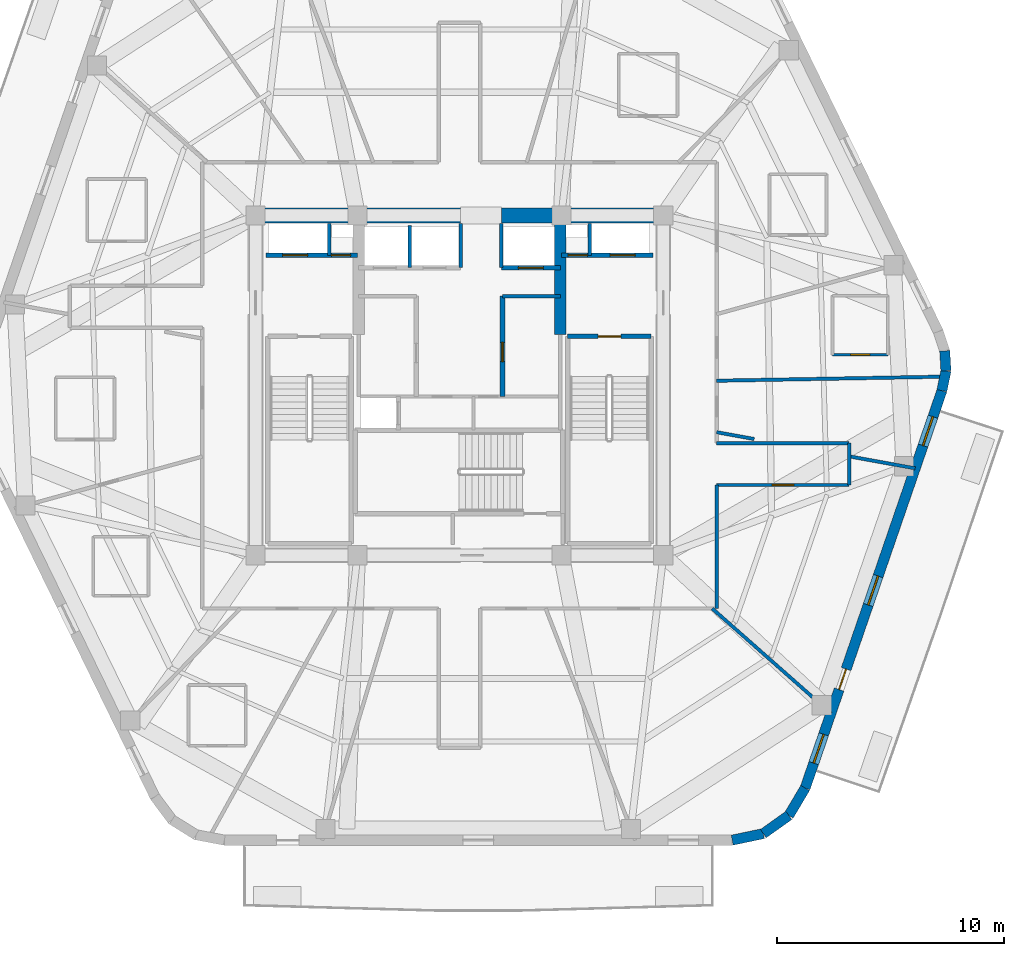
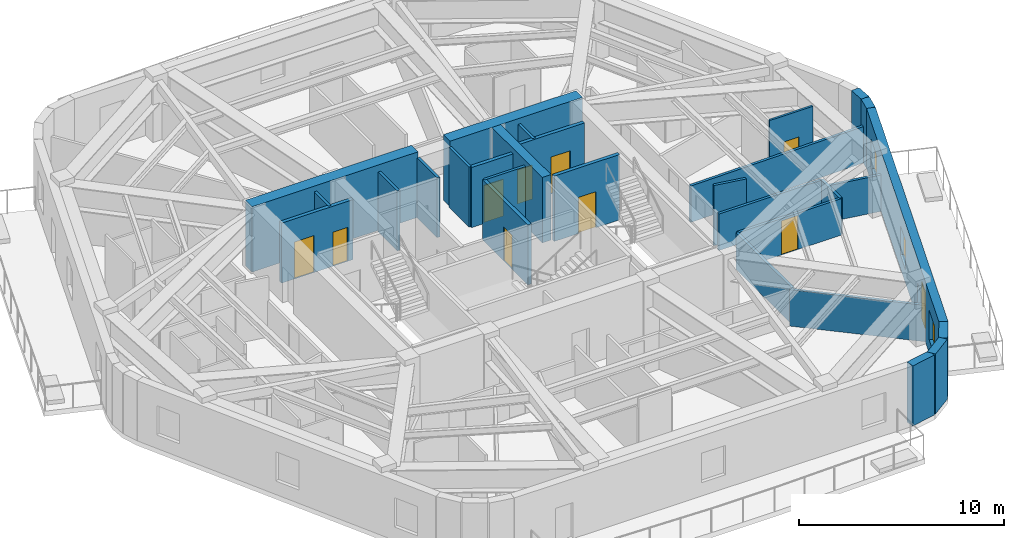
# One storey, part 5 of 9: 29 walls, 10 doors, 3 windows, 13 openings.
"""IFC4 building model written with IfcOpenShell, lengths in metres."""

from ifc_helpers import new_model, si_unit, direction, frame, frame_2d, origin, place, context, subcontext, project, spatial, rectangle, extrude, material, layer, layer_set, type_object, element, fill, save


model = new_model("IFC4")

# Units and contexts
model_context = context("Model", 3, precision=1e-05, world=origin(), true_north=direction((0.0, 1.0)))
body_context = subcontext(model_context, "Body", "Model", "MODEL_VIEW")
ifc_project = project(units=[si_unit("LENGTHUNIT", "METRE"), si_unit("AREAUNIT", "SQUARE_METRE"), si_unit("VOLUMEUNIT", "CUBIC_METRE"), si_unit("PLANEANGLEUNIT", "RADIAN"), si_unit("MASSUNIT", "GRAM", prefix="KILO")], contexts=[model_context])

# Site, building, storey
site_placement = place(None, origin())
site = spatial("IfcSite", under=ifc_project, at=site_placement, CompositionType="ELEMENT")
building_placement = place(site_placement, origin())
building = spatial("IfcBuilding", under=site, at=building_placement, Name="Kilnhurst Terrace Hotel", CompositionType="ELEMENT")
storey_placement = place(building_placement, frame((0.0, 0.0, 301.5)))
storey = spatial("IfcBuildingStorey", under=building, at=storey_placement, Name="L75", CompositionType="ELEMENT", Elevation=301.5)

# Walls
ifc_material_1 = material(Name="Precast concrete C40/50", Category="concrete")
ifc_layer_1 = layer(ifc_material_1, 0.449951171875, Name="Precast concrete C40/50")
ifc_layer_set_1 = layer_set([ifc_layer_1], Name="Precast concrete C40/50")
wall_type_1 = type_object("IfcWallType", Name="WL-BRK-450", PredefinedType="SOLIDWALL", material=ifc_layer_set_1)
wall_1_placement = place(storey_placement, frame((12.038330078125, -20.074951171875, 0.0), z_axis=(0.0, 0.0, 1.0), x_axis=(0.978750122553, 0.205056571711, 0.0)))
element("IfcWall", 1, at=wall_1_placement, inside=storey, type_object=wall_type_1, Name="L75 Rounded Corner Brick Wall C2.1", PredefinedType="SOLIDWALL", context=body_context, shape_type="SweptSolid", body=[
    extrude(rectangle(XDim=1.406005859375, YDim=0.449951171875, at=frame_2d((0.703125, 0.0))), origin(), (0.0, 0.0, 1.0), 3.580078125),
])
wall_2_placement = place(storey_placement, frame((13.41455078125, -19.78662109375, 0.0), z_axis=(0.0, 0.0, 1.0), x_axis=(0.814055493997, 0.580787097561, 0.0)))
element("IfcWall", 2, at=wall_2_placement, inside=storey, type_object=wall_type_1, Name="L75 Rounded Corner Brick Wall C2.2", PredefinedType="SOLIDWALL", context=body_context, shape_type="SweptSolid", body=[
    extrude(rectangle(XDim=1.382568359375, YDim=0.449951171875, at=frame_2d((0.69140625, 0.0))), origin(), (0.0, 0.0, 1.0), 3.580078125),
])
wall_3_placement = place(storey_placement, frame((14.5400390625, -18.983642578125, 0.0), z_axis=(0.0, 0.0, 1.0), x_axis=(0.512374906623, 0.858761873317, 0.0)))
element("IfcWall", 3, at=wall_3_placement, inside=storey, type_object=wall_type_1, Name="L75 Rounded Corner Brick Wall C2.3", PredefinedType="SOLIDWALL", context=body_context, shape_type="SweptSolid", body=[
    extrude(rectangle(XDim=1.406005859375, YDim=0.449951171875, at=frame_2d((0.703125, 0.0))), origin(), (0.0, 0.0, 1.0), 3.580078125),
])
wall_4_placement = place(storey_placement, frame((21.297607421875, -0.2333984375, 0.0), z_axis=(0.0, 0.0, 1.0), x_axis=(0.199158176661, 0.979967356941, 0.0)))
element("IfcWall", 4, at=wall_4_placement, inside=storey, type_object=wall_type_1, Name="L75 Rounded Corner Brick Wall C3.1", PredefinedType="SOLIDWALL", context=body_context, shape_type="SweptSolid", body=[
    extrude(rectangle(XDim=0.894775390625, YDim=0.449951171875, at=frame_2d((0.447265625, 0.0))), origin(), (0.0, 0.0, 1.0), 3.580078125),
])
wall_5_placement = place(storey_placement, frame((21.475830078125, 0.6435546875, 0.0), z_axis=(0.0, 0.0, 1.0), x_axis=(-0.061031097918, 0.998135865044, 0.0)))
element("IfcWall", 5, at=wall_5_placement, inside=storey, type_object=wall_type_1, Name="L75 Rounded Corner Brick Wall C3.2", PredefinedType="SOLIDWALL", context=body_context, shape_type="SweptSolid", body=[
    extrude(rectangle(XDim=0.880126953125, YDim=0.449951171875, at=frame_2d((0.43994140625, 0.0))), origin(), (0.0, 0.0, 1.0), 3.580078125),
])

# Wall, openings, door, windows
wall_6_placement = place(storey_placement, frame((15.260498046875, -17.776123046875, 0.0), z_axis=(0.0, 0.0, 1.0), x_axis=(0.325407437101, 0.945573899745, 0.0)))
wall_6 = element("IfcWall", 6, at=wall_6_placement, inside=storey, type_object=wall_type_1, Name="L75 Exterior Brick Facade Wall F2", PredefinedType="SOLIDWALL", context=body_context, shape_type="SweptSolid", body=[
    extrude(rectangle(XDim=18.552490234375, YDim=0.449951171875, at=frame_2d((9.2763671875, 0.0))), origin(), (0.0, 0.0, 1.0), 3.580078125),
])
opening_1_placement = place(wall_6_placement, frame((4.60205078125, 0.0, 0.0)))
opening_1 = element("IfcOpeningElement", 7, at=opening_1_placement, cuts=wall_6, Name="Opening BD-950", PredefinedType="OPENING", context=body_context, shape_type="SweptSolid", body=[
    extrude(rectangle(XDim=0.949951171875, YDim=2.14990234375, at=frame_2d((0.47509765625, 1.074951171875))), frame((0.0, 0.23486328125, 0.0), z_axis=(0.0, -1.0, 0.0), x_axis=(1.0, 0.0, 0.0)), (0.0, 0.0, 1.0), 0.469970703125),
])
opening_2_placement = place(wall_6_placement, frame((1.160888671875, 0.0, 0.800048828125)))
opening_2 = element("IfcOpeningElement", 8, at=opening_2_placement, cuts=wall_6, Name="Opening W-06", PredefinedType="OPENING", context=body_context, shape_type="SweptSolid", body=[
    extrude(rectangle(XDim=1.35009765625, YDim=1.75, at=frame_2d((0.675048828125, 0.875))), frame((0.0, 0.23486328125, 0.0), z_axis=(0.0, -1.0, 0.0), x_axis=(1.0, 0.0, 0.0)), (0.0, 0.0, 1.0), 0.469970703125),
])
opening_3_placement = place(wall_6_placement, frame((8.548095703125, 0.0, 0.800048828125)))
opening_3 = element("IfcOpeningElement", 9, at=opening_3_placement, cuts=wall_6, Name="Opening W-06", PredefinedType="OPENING", context=body_context, shape_type="SweptSolid", body=[
    extrude(rectangle(XDim=1.35009765625, YDim=1.75, at=frame_2d((0.675048828125, 0.875))), frame((0.0, 0.23486328125, 0.0), z_axis=(0.0, -1.0, 0.0), x_axis=(1.0, 0.0, 0.0)), (0.0, 0.0, 1.0), 0.469970703125),
])
opening_4_placement = place(wall_6_placement, frame((15.987060546875, 0.0, 0.800048828125)))
opening_4 = element("IfcOpeningElement", 10, at=opening_4_placement, cuts=wall_6, Name="Opening W-06", PredefinedType="OPENING", context=body_context, shape_type="SweptSolid", body=[
    extrude(rectangle(XDim=1.35009765625, YDim=1.75, at=frame_2d((0.675048828125, 0.875))), frame((0.0, 0.23486328125, 0.0), z_axis=(0.0, -1.0, 0.0), x_axis=(1.0, 0.0, 0.0)), (0.0, 0.0, 1.0), 0.469970703125),
])
ifc_material_2 = material(Name="Thermally Broken Bronze Aluminium Alloy 6063-T6 and Laminated Glass", Category="aluminium")
door_type_1 = type_object("IfcDoorType", Name="DR-EXT-BAL-950", OperationType="NOTDEFINED", PredefinedType="DOOR", material=ifc_material_2)
door_1_placement = place(opening_1_placement, origin())
door_1 = element("IfcDoor", 11, at=door_1_placement, inside=storey, type_object=door_type_1, Name="L75 Planted Balcony Door BAL-L1B", OperationType="SINGLE_SWING_RIGHT", OverallHeight=2.14990234375, OverallWidth=0.949951171875, PredefinedType="DOOR", context=body_context, shape_type="SweptSolid", body=[
    extrude(rectangle(XDim=0.949951171875, YDim=2.14990234375, at=frame_2d((0.47509765625, 1.074951171875))), frame((0.0, 0.02490234375, 0.0), z_axis=(0.0, -1.0, 0.0), x_axis=(1.0, 0.0, 0.0)), (0.0, 0.0, 1.0), 0.050048828125),
])
fill(opening_1, door_1)
ifc_material_3 = material(Name="Thermally Broken Bronze Aluminium Alloy 6063-T6 and Low-E Glass", Category="aluminium")
window_type = type_object("IfcWindowType", Name="WIN-1350X1750", PartitioningType="SINGLE_PANEL", PredefinedType="WINDOW", material=ifc_material_3)
window_1_placement = place(opening_2_placement, origin())
window_1 = element("IfcWindow", 12, at=window_1_placement, inside=storey, type_object=window_type, Name="L75 Deep-Set Masonry Window F2.1", OverallHeight=1.75, OverallWidth=1.35009765625, PartitioningType="SINGLE_PANEL", PredefinedType="WINDOW", context=body_context, shape_type="SweptSolid", body=[
    extrude(rectangle(XDim=1.35009765625, YDim=1.75, at=frame_2d((0.675048828125, 0.875))), frame((0.0, 0.030029296875, 0.0), z_axis=(0.0, -1.0, 0.0), x_axis=(1.0, 0.0, 0.0)), (0.0, 0.0, 1.0), 0.06005859375),
])
fill(opening_2, window_1)
window_2_placement = place(opening_3_placement, origin())
window_2 = element("IfcWindow", 13, at=window_2_placement, inside=storey, type_object=window_type, Name="L75 Deep-Set Masonry Window F2.2", OverallHeight=1.75, OverallWidth=1.35009765625, PartitioningType="SINGLE_PANEL", PredefinedType="WINDOW", context=body_context, shape_type="SweptSolid", body=[
    extrude(rectangle(XDim=1.35009765625, YDim=1.75, at=frame_2d((0.675048828125, 0.875))), frame((0.0, 0.030029296875, 0.0), z_axis=(0.0, -1.0, 0.0), x_axis=(1.0, 0.0, 0.0)), (0.0, 0.0, 1.0), 0.06005859375),
])
fill(opening_3, window_2)
window_3_placement = place(opening_4_placement, origin())
window_3 = element("IfcWindow", 14, at=window_3_placement, inside=storey, type_object=window_type, Name="L75 Deep-Set Masonry Window F2.3", OverallHeight=1.75, OverallWidth=1.35009765625, PartitioningType="SINGLE_PANEL", PredefinedType="WINDOW", context=body_context, shape_type="SweptSolid", body=[
    extrude(rectangle(XDim=1.35009765625, YDim=1.75, at=frame_2d((0.675048828125, 0.875))), frame((0.0, 0.030029296875, 0.0), z_axis=(0.0, -1.0, 0.0), x_axis=(1.0, 0.0, 0.0)), (0.0, 0.0, 1.0), 0.06005859375),
])
fill(opening_4, window_3)

# Walls
ifc_material_4 = material(Name="Acoustic Double-Gypsum Corridor Partition Assembly")
ifc_layer_2 = layer(ifc_material_4, 0.14990234375, Name="Acoustic Double-Gypsum Corridor Partition Assembly")
ifc_layer_set_2 = layer_set([ifc_layer_2], Name="Acoustic Double-Gypsum Corridor Partition Assembly")
wall_type_2 = type_object("IfcWallType", Name="WL-COR-150", PredefinedType="PARTITIONING", material=ifc_layer_set_2)
wall_7_placement = place(storey_placement, frame((11.35009765625, -2.550048828125, 0.0), z_axis=(0.0, 0.0, 1.0), x_axis=(1.0, 0.0, 0.0)))
element("IfcWall", 15, at=wall_7_placement, inside=storey, type_object=wall_type_2, Name="L75 Interior Wall WL-L75-COR-12", PredefinedType="PARTITIONING", context=body_context, shape_type="SweptSolid", body=[
    extrude(rectangle(XDim=5.849853515625, YDim=0.14990234375, at=frame_2d((2.9248046875, 0.0))), origin(), (0.0, 0.0, 1.0), 2.169921875),
])
wall_8_placement = place(storey_placement, frame((17.199951171875, -2.550048828125, 0.0), z_axis=(0.0, 0.0, 1.0), x_axis=(0.0, -1.0, 0.0)))
element("IfcWall", 16, at=wall_8_placement, inside=storey, type_object=wall_type_2, Name="L75 Interior Wall WL-L75-COR-13", PredefinedType="PARTITIONING", context=body_context, shape_type="SweptSolid", body=[
    extrude(rectangle(XDim=1.849853515625, YDim=0.14990234375, at=frame_2d((0.9248046875, 0.0))), origin(), (0.0, 0.0, 1.0), 2.169921875),
])

# Wall, opening, door
wall_9_placement = place(storey_placement, frame((17.199951171875, -4.39990234375, 0.0), z_axis=(0.0, 0.0, 1.0), x_axis=(-1.0, 0.0, 0.0)))
wall_9 = element("IfcWall", 17, at=wall_9_placement, inside=storey, type_object=wall_type_2, Name="L75 Interior Wall WL-L75-COR-14", PredefinedType="PARTITIONING", context=body_context, shape_type="SweptSolid", body=[
    extrude(rectangle(XDim=5.849853515625, YDim=0.14990234375, at=frame_2d((2.9248046875, 0.0))), origin(), (0.0, 0.0, 1.0), 2.169921875),
])
opening_5_placement = place(wall_9_placement, frame((2.449951171875, 0.0, 0.0)))
opening_5 = element("IfcOpeningElement", 18, at=opening_5_placement, cuts=wall_9, Name="Opening D-60B", PredefinedType="OPENING", context=body_context, shape_type="SweptSolid", body=[
    extrude(rectangle(XDim=0.949951171875, YDim=2.030029296875, at=frame_2d((0.47509765625, 1.01513671875))), frame((0.0, 0.0849609375, 0.0), z_axis=(0.0, -1.0, 0.0), x_axis=(1.0, 0.0, 0.0)), (0.0, 0.0, 1.0), 0.169921875),
])
ifc_material_5 = material(Name="Acoustic Walnut Veneer Solid-Core Fire Door")
door_type_2 = type_object("IfcDoorType", Name="DR-FD60-950", OperationType="NOTDEFINED", PredefinedType="DOOR", material=ifc_material_5)
door_2_placement = place(opening_5_placement, origin())
door_2 = element("IfcDoor", 19, at=door_2_placement, inside=storey, type_object=door_type_2, Name="L75 Summit Boardroom Door", OperationType="SINGLE_SWING_RIGHT", OverallHeight=2.030029296875, OverallWidth=0.949951171875, PredefinedType="DOOR", context=body_context, shape_type="SweptSolid", body=[
    extrude(rectangle(XDim=0.949951171875, YDim=2.030029296875, at=frame_2d((0.47509765625, 1.01513671875))), frame((0.0, 0.02490234375, 0.0), z_axis=(0.0, -1.0, 0.0), x_axis=(1.0, 0.0, 0.0)), (0.0, 0.0, 1.0), 0.050048828125),
])
fill(opening_5, door_2)

# Walls
wall_10_placement = place(storey_placement, frame((11.35009765625, -4.39990234375, 0.0), z_axis=(0.0, 0.0, 1.0), x_axis=(0.0, -1.0, 0.0)))
element("IfcWall", 20, at=wall_10_placement, inside=storey, type_object=wall_type_2, Name="L75 Interior Wall WL-L75-COR-15", PredefinedType="PARTITIONING", context=body_context, shape_type="SweptSolid", body=[
    extrude(rectangle(XDim=5.4501953125, YDim=0.14990234375, at=frame_2d((2.72509765625, 0.0))), origin(), (0.0, 0.0, 1.0), 2.169921875),
])
ifc_material_6 = material(Name="Concrete C60/75", Category="concrete")
ifc_layer_3 = layer(ifc_material_6, 0.64990234375, Name="Concrete C60/75")
ifc_layer_set_3 = layer_set([ifc_layer_3], Name="Concrete C60/75")
wall_type_3 = type_object("IfcWallType", Name="WL-CORE-650", PredefinedType="SHEAR", material=ifc_layer_set_3)
wall_11_placement = place(storey_placement, frame((-9.324951171875, 7.5, 0.0), z_axis=(0.0, 0.0, 1.0), x_axis=(1.0, 0.0, 0.0)))
element("IfcWall", 21, at=wall_11_placement, inside=storey, type_object=wall_type_3, Name="L75 Core North West Shear Wall", PredefinedType="SHEAR", context=body_context, shape_type="SweptSolid", body=[
    extrude(rectangle(XDim=9.375, YDim=0.64990234375, at=frame_2d((4.6875, 0.0))), origin(), (0.0, 0.0, 1.0), 3.89990234375),
])
wall_12_placement = place(storey_placement, frame((1.85009765625, 7.5, 0.0), z_axis=(0.0, 0.0, 1.0), x_axis=(1.0, 0.0, 0.0)))
element("IfcWall", 22, at=wall_12_placement, inside=storey, type_object=wall_type_3, Name="L75 Core North East Shear Wall", PredefinedType="SHEAR", context=body_context, shape_type="SweptSolid", body=[
    extrude(rectangle(XDim=7.474853515625, YDim=0.64990234375, at=frame_2d((3.7373046875, 0.0))), origin(), (0.0, 0.0, 1.0), 3.89990234375),
])
ifc_layer_4 = layer(ifc_material_6, 0.5, Name="Concrete C60/75")
ifc_layer_set_4 = layer_set([ifc_layer_4], Name="Concrete C60/75")
wall_type_4 = type_object("IfcWallType", Name="WL-CORE-WEB-500", PredefinedType="SHEAR", material=ifc_layer_set_4)
wall_13_placement = place(storey_placement, frame((4.449951171875, 2.25, 0.0), z_axis=(0.0, 0.0, 1.0), x_axis=(0.0, 1.0, 0.0)))
element("IfcWall", 23, at=wall_13_placement, inside=storey, type_object=wall_type_4, Name="L75 Core Internal East Shear Web", PredefinedType="SHEAR", context=body_context, shape_type="SweptSolid", body=[
    extrude(rectangle(XDim=4.925048828125, YDim=0.5, at=frame_2d((2.46240234375, 0.0))), origin(), (0.0, 0.0, 1.0), 3.89990234375),
])
ifc_material_7 = material(Name="STC-58 Acoustic Twin-Frame Guestroom Demising Partition")
ifc_layer_5 = layer(ifc_material_7, 0.14990234375, Name="STC-58 Acoustic Twin-Frame Guestroom Demising Partition")
ifc_layer_set_5 = layer_set([ifc_layer_5], Name="STC-58 Acoustic Twin-Frame Guestroom Demising Partition")
wall_type_5 = type_object("IfcWallType", Name="WL-DEM-150", PredefinedType="PARTITIONING", material=ifc_layer_set_5)
wall_14_placement = place(storey_placement, frame((11.35009765625, 0.2041015625, 0.0), z_axis=(0.0, 0.0, 1.0), x_axis=(0.999838748671, 0.017957635019, 0.0)))
element("IfcWall", 24, at=wall_14_placement, inside=storey, type_object=wall_type_5, Name="L75 Interior Wall WL-L75-DEM-MID12-01-1", PredefinedType="PARTITIONING", context=body_context, shape_type="SweptSolid", body=[
    extrude(rectangle(XDim=9.9111328125, YDim=0.14990234375, at=frame_2d((4.95556640625, 0.0))), origin(), (0.0, 0.0, 1.0), 2.169921875),
])
wall_15_placement = place(storey_placement, frame((11.1572265625, -9.85009765625, 0.0), z_axis=(0.0, 0.0, 1.0), x_axis=(0.74966962095, -0.661812253909, 0.0)))
element("IfcWall", 25, at=wall_15_placement, inside=storey, type_object=wall_type_5, Name="L75 Interior Wall WL-L75-DEM-COL11-14-1", PredefinedType="PARTITIONING", context=body_context, shape_type="SweptSolid", body=[
    extrude(rectangle(XDim=6.98876953125, YDim=0.14990234375, at=frame_2d((3.494384765625, 0.0))), origin(), (0.0, 0.0, 1.0), 2.169921875),
])
wall_16_placement = place(storey_placement, frame((11.35009765625, -2.067138671875, 0.0), z_axis=(0.0, 0.0, 1.0), x_axis=(0.983807459651, -0.179228575665, 0.0)))
element("IfcWall", 26, at=wall_16_placement, inside=storey, type_object=wall_type_5, Name="L75 Interior Wall WL-L75-DEM-COL12-15-1", PredefinedType="PARTITIONING", context=body_context, shape_type="SweptSolid", body=[
    extrude(rectangle(XDim=1.6904296875, YDim=0.14990234375, at=frame_2d((0.84521484375, 0.0))), origin(), (0.0, 0.0, 1.0), 3.580078125),
])
wall_17_placement = place(storey_placement, frame((17.199951171875, -3.132568359375, 0.0), z_axis=(0.0, 0.0, 1.0), x_axis=(0.983817168797, -0.179175272791, 0.0)))
element("IfcWall", 27, at=wall_17_placement, inside=storey, type_object=wall_type_5, Name="L75 Interior Wall WL-L75-DEM-COL12-15-2", PredefinedType="PARTITIONING", context=body_context, shape_type="SweptSolid", body=[
    extrude(rectangle(XDim=2.965087890625, YDim=0.14990234375, at=frame_2d((1.482421875, 0.0))), origin(), (0.0, 0.0, 1.0), 2.169921875),
])

# Wall, opening, door
ifc_material_8 = material(Name="120 mm Moisture-Resistant Tile-Backed Bathroom Partition")
ifc_layer_6 = layer(ifc_material_8, 0.1201171875, Name="120 mm Moisture-Resistant Tile-Backed Bathroom Partition")
ifc_layer_set_6 = layer_set([ifc_layer_6], Name="120 mm Moisture-Resistant Tile-Backed Bathroom Partition")
wall_type_6 = type_object("IfcWallType", Name="WL-PART-120", PredefinedType="PARTITIONING", material=ifc_layer_set_6)
wall_18_placement = place(storey_placement, frame((16.470947265625, 1.34912109375, 0.0), z_axis=(0.0, 0.0, 1.0), x_axis=(1.0, 0.0, 0.0)))
wall_18 = element("IfcWall", 28, at=wall_18_placement, inside=storey, type_object=wall_type_6, Name="L75 Interior Wall WL-L75-BTH-01-1", PredefinedType="PARTITIONING", context=body_context, shape_type="SweptSolid", body=[
    extrude(rectangle(XDim=2.43994140625, YDim=0.1201171875, at=frame_2d((1.219970703125, 0.0))), origin(), (0.0, 0.0, 1.0), 3.580078125),
])
opening_6_placement = place(wall_18_placement, frame((0.794921875, 0.0, 0.0)))
opening_6 = element("IfcOpeningElement", 29, at=opening_6_placement, cuts=wall_18, Name="Opening D-08A", PredefinedType="OPENING", context=body_context, shape_type="SweptSolid", body=[
    extrude(rectangle(XDim=0.85009765625, YDim=2.030029296875, at=frame_2d((0.425048828125, 1.01513671875))), frame((0.0, 0.070068359375, 0.0), z_axis=(0.0, -1.0, 0.0), x_axis=(1.0, 0.0, 0.0)), (0.0, 0.0, 1.0), 0.14013671875),
])
ifc_material_9 = material(Name="Moisture-Resistant Lacquered En-suite Bathroom Door")
door_type_3 = type_object("IfcDoorType", Name="DR-INT-850", OperationType="NOTDEFINED", PredefinedType="DOOR", material=ifc_material_9)
door_3_placement = place(opening_6_placement, origin())
door_3 = element("IfcDoor", 30, at=door_3_placement, inside=storey, type_object=door_type_3, Name="L75 En-suite Bathroom Door 1", OperationType="SINGLE_SWING_RIGHT", OverallHeight=2.030029296875, OverallWidth=0.85009765625, PredefinedType="DOOR", context=body_context, shape_type="SweptSolid", body=[
    extrude(rectangle(XDim=0.85009765625, YDim=2.030029296875, at=frame_2d((0.425048828125, 1.01513671875))), frame((0.0, 0.02490234375, 0.0), z_axis=(0.0, -1.0, 0.0), x_axis=(1.0, 0.0, 0.0)), (0.0, 0.0, 1.0), 0.050048828125),
])
fill(opening_6, door_3)

# Walls
ifc_material_10 = material(Name="Fire-Rated Gypsum Shaftliner Assembly")
ifc_layer_7 = layer(ifc_material_10, 0.14990234375, Name="Fire-Rated Gypsum Shaftliner Assembly")
ifc_layer_set_7 = layer_set([ifc_layer_7], Name="Fire-Rated Gypsum Shaftliner Assembly")
wall_type_7 = type_object("IfcWallType", Name="WL-SHAFT-150", PredefinedType="PARTITIONING", material=ifc_layer_set_7)
for number, where, z_axis, x_axis, name in (
    (31, (-5.75, 5.739990234375, 0.0), (0.0, 0.0, 1.0), (0.0, 1.0, 0.0), "L75 Interior Wall WL-L75-RIS1-DIV"),
    (32, (5.75, 5.739990234375, 0.0), (0.0, 0.0, 1.0), (0.0, 1.0, 0.0), "L75 Interior Wall WL-L75-RIS2-DIV"),
):
    element("IfcWall", number, at=place(storey_placement, frame(where, z_axis=z_axis, x_axis=x_axis)), inside=storey, type_object=wall_type_7, Name=name, PredefinedType="PARTITIONING", context=body_context, shape_type="SweptSolid", body=[
        extrude(rectangle(XDim=1.409912109375, YDim=0.14990234375, at=frame_2d((0.705078125, 0.0))), origin(), (0.0, 0.0, 1.0), 3.580078125),
    ])
wall_19_placement = place(storey_placement, frame((-2.199951171875, 5.199951171875, 0.0), z_axis=(0.0, 0.0, 1.0), x_axis=(0.0, 1.0, 0.0)))
element("IfcWall", 33, at=wall_19_placement, inside=storey, type_object=wall_type_7, Name="L75 Interior Wall WL-L75-HR-DIV1", PredefinedType="PARTITIONING", context=body_context, shape_type="SweptSolid", body=[
    extrude(rectangle(XDim=1.85009765625, YDim=0.14990234375, at=frame_2d((0.925048828125, 0.0))), origin(), (0.0, 0.0, 1.0), 3.580078125),
])
for number, where, z_axis, x_axis, name in (
    (34, (0.050048828125, 5.199951171875, 0.0), (0.0, 0.0, 1.0), (0.0, 1.0, 0.0), "L75 Interior Wall WL-L75-HR-PORTAL-W"),
    (35, (1.85009765625, 5.199951171875, 0.0), (0.0, 0.0, 1.0), (0.0, 1.0, 0.0), "L75 Interior Wall WL-L75-HR-PORTAL-E"),
):
    element("IfcWall", number, at=place(storey_placement, frame(where, z_axis=z_axis, x_axis=x_axis)), inside=storey, type_object=wall_type_7, Name=name, PredefinedType="PARTITIONING", context=body_context, shape_type="SweptSolid", body=[
        extrude(rectangle(XDim=1.949951171875, YDim=0.14990234375, at=frame_2d((0.97509765625, 0.0))), origin(), (0.0, 0.0, 1.0), 3.580078125),
    ])
wall_20_placement = place(storey_placement, frame((1.89990234375, 3.93994140625, 0.0), z_axis=(0.0, 0.0, 1.0), x_axis=(1.0, 0.0, 0.0)))
element("IfcWall", 36, at=wall_20_placement, inside=storey, type_object=wall_type_7, Name="L75 Interior Wall WL-L75-MR-NORTH", PredefinedType="PARTITIONING", context=body_context, shape_type="SweptSolid", body=[
    extrude(rectangle(XDim=2.550048828125, YDim=0.14990234375, at=frame_2d((1.27490234375, 0.0))), origin(), (0.0, 0.0, 1.0), 3.580078125),
])

# Wall, openings, doors
ifc_material_11 = material(Name="Autoclaved Aerated Concrete C30/37 and Gypsum Shaft Assembly", Category="concrete")
ifc_layer_8 = layer(ifc_material_11, 0.199951171875, Name="Autoclaved Aerated Concrete C30/37 and Gypsum Shaft Assembly")
ifc_layer_set_8 = layer_set([ifc_layer_8], Name="Autoclaved Aerated Concrete C30/37 and Gypsum Shaft Assembly")
wall_type_8 = type_object("IfcWallType", Name="WL-SHAFT-200", PredefinedType="PARTITIONING", material=ifc_layer_set_8)
wall_21_placement = place(storey_placement, frame((-8.550048828125, 5.739990234375, 0.0), z_axis=(0.0, 0.0, 1.0), x_axis=(1.0, 0.0, 0.0)))
wall_21 = element("IfcWall", 37, at=wall_21_placement, inside=storey, type_object=wall_type_8, Name="L75 Interior Wall WL-L75-FSAE1-S", PredefinedType="PARTITIONING", context=body_context, shape_type="SweptSolid", body=[
    extrude(rectangle(XDim=4.050048828125, YDim=0.199951171875, at=frame_2d((2.02490234375, 0.0))), origin(), (0.0, 0.0, 1.0), 3.580078125),
])
opening_7_placement = place(wall_21_placement, frame((0.75, 0.0, 0.0)))
opening_7 = element("IfcOpeningElement", 38, at=opening_7_placement, cuts=wall_21, Name="Opening LD-F1", PredefinedType="OPENING", context=body_context, shape_type="SweptSolid", body=[
    extrude(rectangle(XDim=1.10009765625, YDim=2.199951171875, at=frame_2d((0.550048828125, 1.10009765625))), frame((0.0, 0.10986328125, 0.0), z_axis=(0.0, -1.0, 0.0), x_axis=(1.0, 0.0, 0.0)), (0.0, 0.0, 1.0), 0.219970703125),
])
opening_8_placement = place(wall_21_placement, frame((2.89990234375, 0.0, 0.0)))
opening_8 = element("IfcOpeningElement", 39, at=opening_8_placement, cuts=wall_21, Name="Opening D-60D", PredefinedType="OPENING", context=body_context, shape_type="SweptSolid", body=[
    extrude(rectangle(XDim=0.85009765625, YDim=2.030029296875, at=frame_2d((0.425048828125, 1.01513671875))), frame((0.0, 0.10986328125, 0.0), z_axis=(0.0, -1.0, 0.0), x_axis=(1.0, 0.0, 0.0)), (0.0, 0.0, 1.0), 0.219970703125),
])
ifc_material_12 = material(Name="Painted Hollow Metal Steel ASTM A36 Riser Door", Category="steel")
door_type_4 = type_object("IfcDoorType", Name="DR-FD60-850", OperationType="NOTDEFINED", PredefinedType="DOOR", material=ifc_material_12)
door_4_placement = place(opening_8_placement, origin())
door_4 = element("IfcDoor", 40, at=door_4_placement, inside=storey, type_object=door_type_4, Name="L75 Electrical Riser Door", OperationType="SINGLE_SWING_LEFT", OverallHeight=2.030029296875, OverallWidth=0.85009765625, PredefinedType="DOOR", context=body_context, shape_type="SweptSolid", body=[
    extrude(rectangle(XDim=0.85009765625, YDim=2.030029296875, at=frame_2d((0.425048828125, 1.01513671875))), frame((0.0, 0.02490234375, 0.0), z_axis=(0.0, -1.0, 0.0), x_axis=(1.0, 0.0, 0.0)), (0.0, 0.0, 1.0), 0.050048828125),
])
fill(opening_8, door_4)
ifc_material_13 = material(Name="Bronze-Anodized Stainless Steel AISI 316L Sliding Door", Category="steel")
door_type_5 = type_object("IfcDoorType", Name="DR-LIFT-1100", OperationType="NOTDEFINED", PredefinedType="DOOR", material=ifc_material_13)
door_5_placement = place(opening_7_placement, origin())
door_5 = element("IfcDoor", 41, at=door_5_placement, inside=storey, type_object=door_type_5, Name="L75 FSAE-1 Landing Door", OperationType="SLIDING_TO_LEFT", OverallHeight=2.199951171875, OverallWidth=1.10009765625, PredefinedType="DOOR", context=body_context, shape_type="SweptSolid", body=[
    extrude(rectangle(XDim=1.10009765625, YDim=2.199951171875, at=frame_2d((0.550048828125, 1.10009765625))), frame((0.0, 0.02490234375, 0.0), z_axis=(0.0, -1.0, 0.0), x_axis=(1.0, 0.0, 0.0)), (0.0, 0.0, 1.0), 0.050048828125),
])
fill(opening_7, door_5)

wall_22_placement = place(storey_placement, frame((4.5, 5.739990234375, 0.0), z_axis=(0.0, 0.0, 1.0), x_axis=(1.0, 0.0, 0.0)))
wall_22 = element("IfcWall", 42, at=wall_22_placement, inside=storey, type_object=wall_type_8, Name="L75 Interior Wall WL-L75-FSAE2-S", PredefinedType="PARTITIONING", context=body_context, shape_type="SweptSolid", body=[
    extrude(rectangle(XDim=4.050048828125, YDim=0.199951171875, at=frame_2d((2.02490234375, 0.0))), origin(), (0.0, 0.0, 1.0), 3.580078125),
])
opening_9_placement = place(wall_22_placement, frame((0.300048828125, 0.0, 0.0)))
opening_9 = element("IfcOpeningElement", 43, at=opening_9_placement, cuts=wall_22, Name="Opening D-60D", PredefinedType="OPENING", context=body_context, shape_type="SweptSolid", body=[
    extrude(rectangle(XDim=0.85009765625, YDim=2.030029296875, at=frame_2d((0.425048828125, 1.01513671875))), frame((0.0, 0.10986328125, 0.0), z_axis=(0.0, -1.0, 0.0), x_axis=(1.0, 0.0, 0.0)), (0.0, 0.0, 1.0), 0.219970703125),
])
opening_10_placement = place(wall_22_placement, frame((2.14990234375, 0.0, 0.0)))
opening_10 = element("IfcOpeningElement", 44, at=opening_10_placement, cuts=wall_22, Name="Opening LD-F2", PredefinedType="OPENING", context=body_context, shape_type="SweptSolid", body=[
    extrude(rectangle(XDim=1.10009765625, YDim=2.199951171875, at=frame_2d((0.550048828125, 1.10009765625))), frame((0.0, 0.10986328125, 0.0), z_axis=(0.0, -1.0, 0.0), x_axis=(1.0, 0.0, 0.0)), (0.0, 0.0, 1.0), 0.219970703125),
])
door_6_placement = place(opening_9_placement, origin())
door_6 = element("IfcDoor", 45, at=door_6_placement, inside=storey, type_object=door_type_4, Name="L75 Telecom Riser Door", OperationType="SINGLE_SWING_RIGHT", OverallHeight=2.030029296875, OverallWidth=0.85009765625, PredefinedType="DOOR", context=body_context, shape_type="SweptSolid", body=[
    extrude(rectangle(XDim=0.85009765625, YDim=2.030029296875, at=frame_2d((0.425048828125, 1.01513671875))), frame((0.0, 0.02490234375, 0.0), z_axis=(0.0, -1.0, 0.0), x_axis=(1.0, 0.0, 0.0)), (0.0, 0.0, 1.0), 0.050048828125),
])
fill(opening_9, door_6)
door_7_placement = place(opening_10_placement, origin())
door_7 = element("IfcDoor", 46, at=door_7_placement, inside=storey, type_object=door_type_5, Name="L75 FSAE-2 Landing Door", OperationType="SLIDING_TO_RIGHT", OverallHeight=2.199951171875, OverallWidth=1.10009765625, PredefinedType="DOOR", context=body_context, shape_type="SweptSolid", body=[
    extrude(rectangle(XDim=1.10009765625, YDim=2.199951171875, at=frame_2d((0.550048828125, 1.10009765625))), frame((0.0, 0.02490234375, 0.0), z_axis=(0.0, -1.0, 0.0), x_axis=(1.0, 0.0, 0.0)), (0.0, 0.0, 1.0), 0.050048828125),
])
fill(opening_10, door_7)

# Wall, opening, door
wall_23_placement = place(storey_placement, frame((1.85009765625, 5.199951171875, 0.0), z_axis=(0.0, 0.0, 1.0), x_axis=(1.0, 0.0, 0.0)))
wall_23 = element("IfcWall", 47, at=wall_23_placement, inside=storey, type_object=wall_type_8, Name="L75 Interior Wall WL-L75-HR-SE", PredefinedType="PARTITIONING", context=body_context, shape_type="SweptSolid", body=[
    extrude(rectangle(XDim=2.599853515625, YDim=0.199951171875, at=frame_2d((1.2998046875, 0.0))), origin(), (0.0, 0.0, 1.0), 3.580078125),
])
opening_11_placement = place(wall_23_placement, frame((0.75, 0.0, 0.0)))
opening_11 = element("IfcOpeningElement", 48, at=opening_11_placement, cuts=wall_23, Name="Opening LD-H2", PredefinedType="OPENING", context=body_context, shape_type="SweptSolid", body=[
    extrude(rectangle(XDim=1.10009765625, YDim=2.199951171875, at=frame_2d((0.550048828125, 1.10009765625))), frame((0.0, 0.10986328125, 0.0), z_axis=(0.0, -1.0, 0.0), x_axis=(1.0, 0.0, 0.0)), (0.0, 0.0, 1.0), 0.219970703125),
])
door_8_placement = place(opening_11_placement, origin())
door_8 = element("IfcDoor", 49, at=door_8_placement, inside=storey, type_object=door_type_5, Name="L75 High Rise Lift HR-2 Landing Door", OperationType="SLIDING_TO_RIGHT", OverallHeight=2.199951171875, OverallWidth=1.10009765625, PredefinedType="DOOR", context=body_context, shape_type="SweptSolid", body=[
    extrude(rectangle(XDim=1.10009765625, YDim=2.199951171875, at=frame_2d((0.550048828125, 1.10009765625))), frame((0.0, 0.02490234375, 0.0), z_axis=(0.0, -1.0, 0.0), x_axis=(1.0, 0.0, 0.0)), (0.0, 0.0, 1.0), 0.050048828125),
])
fill(opening_11, door_8)

wall_24_placement = place(storey_placement, frame((1.89990234375, -0.5, 0.0), z_axis=(0.0, 0.0, 1.0), x_axis=(0.0, 1.0, 0.0)))
wall_24 = element("IfcWall", 50, at=wall_24_placement, inside=storey, type_object=wall_type_8, Name="L75 Interior Wall WL-L75-MR-FRONT", PredefinedType="PARTITIONING", context=body_context, shape_type="SweptSolid", body=[
    extrude(rectangle(XDim=4.43994140625, YDim=0.199951171875, at=frame_2d((2.219970703125, 0.0))), origin(), (0.0, 0.0, 1.0), 3.580078125),
])
opening_12_placement = place(wall_24_placement, frame((1.550048828125, 0.0, 0.0)))
opening_12 = element("IfcOpeningElement", 51, at=opening_12_placement, cuts=wall_24, Name="Opening D-60D", PredefinedType="OPENING", context=body_context, shape_type="SweptSolid", body=[
    extrude(rectangle(XDim=0.85009765625, YDim=2.030029296875, at=frame_2d((0.425048828125, 1.01513671875))), frame((0.0, 0.10986328125, 0.0), z_axis=(0.0, -1.0, 0.0), x_axis=(1.0, 0.0, 0.0)), (0.0, 0.0, 1.0), 0.219970703125),
])
door_9_placement = place(opening_12_placement, origin())
door_9 = element("IfcDoor", 52, at=door_9_placement, inside=storey, type_object=door_type_4, Name="L75 Staff Accessible Restroom Door", OperationType="SINGLE_SWING_RIGHT", OverallHeight=2.030029296875, OverallWidth=0.85009765625, PredefinedType="DOOR", context=body_context, shape_type="SweptSolid", body=[
    extrude(rectangle(XDim=0.85009765625, YDim=2.030029296875, at=frame_2d((0.425048828125, 1.01513671875))), frame((0.0, 0.02490234375, 0.0), z_axis=(0.0, -1.0, 0.0), x_axis=(1.0, 0.0, 0.0)), (0.0, 0.0, 1.0), 0.050048828125),
])
fill(opening_12, door_9)

ifc_material_14 = material(Name="Concrete C50/60", Category="concrete")
ifc_layer_9 = layer(ifc_material_14, 0.199951171875, Name="Concrete C50/60")
ifc_layer_set_9 = layer_set([ifc_layer_9], Name="Concrete C50/60")
wall_type_9 = type_object("IfcWallType", Name="WL-STAIR-RC-200", PredefinedType="SHEAR", material=ifc_layer_set_9)
wall_25_placement = place(storey_placement, frame((4.77197265625, 2.157958984375, 0.0), z_axis=(0.0, 0.0, 1.0), x_axis=(1.0, 0.0, 0.0)))
wall_25 = element("IfcWall", 53, at=wall_25_placement, inside=storey, type_object=wall_type_9, Name="L75 Structural Stair Shaft Wall WL-L75-ST2-N", PredefinedType="SHEAR", context=body_context, shape_type="SweptSolid", body=[
    extrude(rectangle(XDim=3.68603515625, YDim=0.199951171875, at=frame_2d((1.843017578125, 0.0))), origin(), (0.0, 0.0, 1.0), 3.89990234375),
])
opening_13_placement = place(wall_25_placement, frame((1.35009765625, 0.0, 0.0)))
opening_13 = element("IfcOpeningElement", 54, at=opening_13_placement, cuts=wall_25, Name="Opening D-90B", PredefinedType="OPENING", context=body_context, shape_type="SweptSolid", body=[
    extrude(rectangle(XDim=1.0, YDim=2.14990234375, at=frame_2d((0.5, 1.074951171875))), frame((0.0, 0.10986328125, 0.0), z_axis=(0.0, -1.0, 0.0), x_axis=(1.0, 0.0, 0.0)), (0.0, 0.0, 1.0), 0.219970703125),
])
ifc_material_15 = material(Name="Painted Hollow Metal Steel ASTM A36 Fire Door", Category="steel")
door_type_6 = type_object("IfcDoorType", Name="DR-FD90-1000", OperationType="NOTDEFINED", PredefinedType="DOOR", material=ifc_material_15)
door_10_placement = place(opening_13_placement, origin())
door_10 = element("IfcDoor", 55, at=door_10_placement, inside=storey, type_object=door_type_6, Name="L75 Stair ST-2 Door", OperationType="SINGLE_SWING_RIGHT", OverallHeight=2.14990234375, OverallWidth=1.0, PredefinedType="DOOR", context=body_context, shape_type="SweptSolid", body=[
    extrude(rectangle(XDim=1.0, YDim=2.14990234375, at=frame_2d((0.5, 1.074951171875))), frame((0.0, 0.02490234375, 0.0), z_axis=(0.0, -1.0, 0.0), x_axis=(1.0, 0.0, 0.0)), (0.0, 0.0, 1.0), 0.050048828125),
])
fill(opening_13, door_10)

save(model, "model.ifc")
